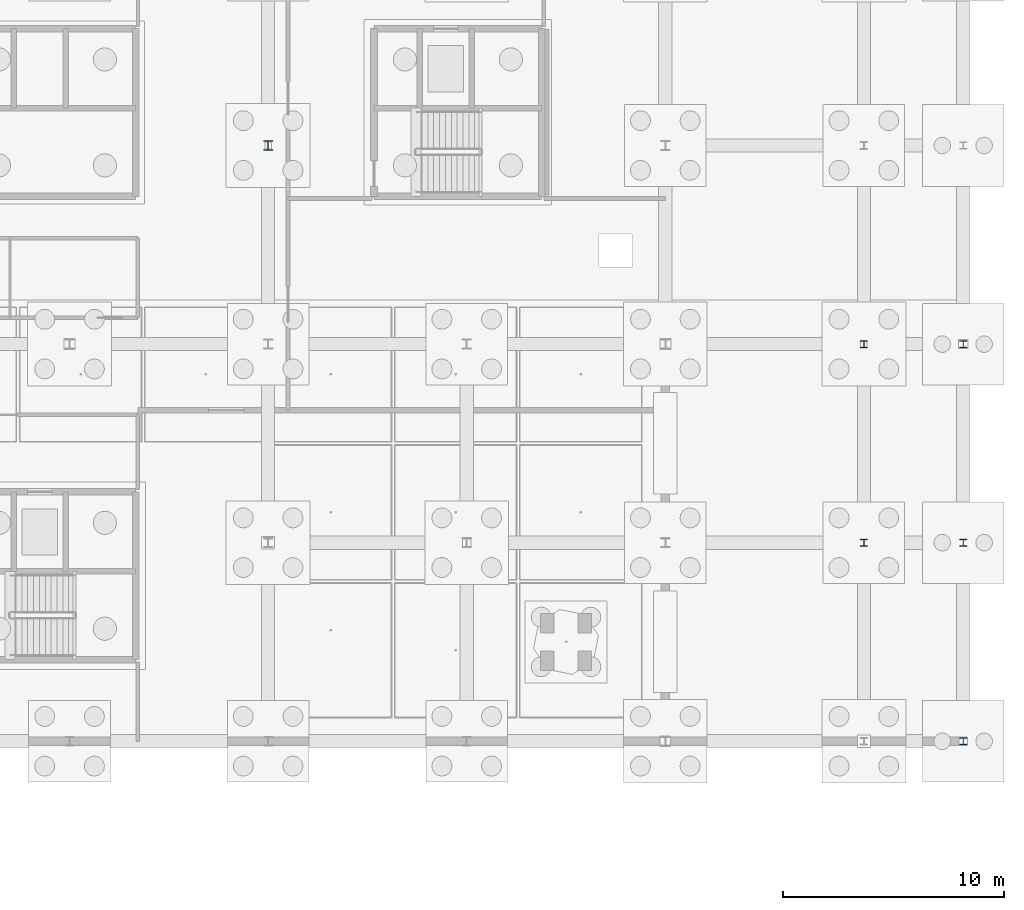
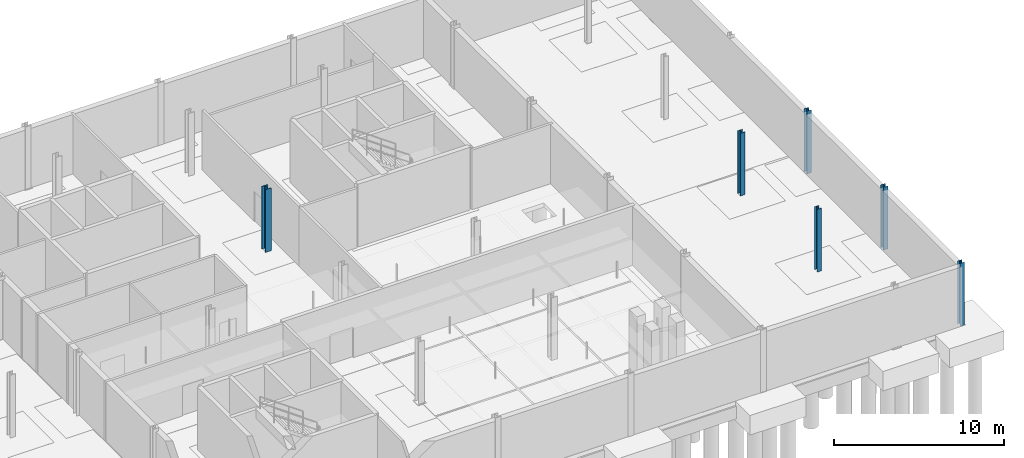
# One storey, part 16 of 48: 6 columns.
"""IFC4 building model written with IfcOpenShell, lengths in metres."""

from ifc_helpers import new_model, si_unit, direction, frame, origin, origin_2d, place, context, subcontext, project, spatial, i_section, extrude, material, material_profile, profile_set, type_object, element, save


model = new_model("IFC4")

# Units and contexts
model_context = context("Model", 3, precision=1e-05, world=origin(), true_north=direction((0.0, 1.0)))
body_context = subcontext(model_context, "Body", "Model", "MODEL_VIEW")
ifc_project = project(units=[si_unit("LENGTHUNIT", "METRE"), si_unit("AREAUNIT", "SQUARE_METRE"), si_unit("VOLUMEUNIT", "CUBIC_METRE"), si_unit("PLANEANGLEUNIT", "RADIAN"), si_unit("MASSUNIT", "GRAM", prefix="KILO"), si_unit("THERMODYNAMICTEMPERATUREUNIT", "KELVIN"), si_unit("POWERUNIT", "WATT")], contexts=[model_context])

# Site, building, storey
site_placement = place(None, origin())
site = spatial("IfcSite", under=ifc_project, at=site_placement, CompositionType="ELEMENT")
building_placement = place(site_placement, origin())
building = spatial("IfcBuilding", under=site, at=building_placement, Name="Tallowbark Science Centre", CompositionType="ELEMENT")
storey_placement = place(building_placement, frame((0.0, 0.0, -4.5)))
storey = spatial("IfcBuildingStorey", under=building, at=storey_placement, Name="B1", CompositionType="ELEMENT", Elevation=-4.5)

# Columns
ifc_material = material(Name="Structural Steel Grade 300PLUS (300 MPa)", Category="steel")
ifc_material_profile_1 = material_profile(ifc_material, i_section(OverallWidth=0.30908203125, OverallDepth=0.320556640625, WebThickness=0.013916015625, FlangeThickness=0.021728515625, FilletRadius=0.0166015625, at=origin_2d()), Name="310UC137")
ifc_profile_set_1 = profile_set([ifc_material_profile_1], Name="Structural Steel Grade 300PLUS (300 MPa)")
column_type_1 = type_object("IfcColumnType", Name="COL-UC310B", PredefinedType="COLUMN", material=ifc_profile_set_1)
for number, where, z_axis, x_axis, name in (
    (1, (157.5, 81.0, 0.0), (0.0, 0.0, 1.0), (1.0, 0.0, 0.0), "Column OBS-5_1 B1"),
    (2, (157.5, 90.0, 0.0), (0.0, 0.0, 1.0), (1.0, 0.0, 0.0), "Column OBS-5_2 B1"),
):
    element("IfcColumn", number, at=place(storey_placement, frame(where, z_axis=z_axis, x_axis=x_axis)), inside=storey, type_object=column_type_1, Name=name, PredefinedType="COLUMN", context=body_context, shape_type="SweptSolid", body=[
        extrude(i_section(OverallWidth=0.30908203125, OverallDepth=0.320556640625, WebThickness=0.013916015625, FlangeThickness=0.021728515625, FilletRadius=0.0166015625, at=origin_2d()), origin(), (0.0, 0.0, 1.0), 4.5),
    ])
ifc_material_profile_2 = material_profile(ifc_material, i_section(OverallWidth=0.307373046875, OverallDepth=0.314697265625, WebThickness=0.011962890625, FlangeThickness=0.018798828125, FilletRadius=0.0166015625, at=origin_2d()), Name="310UC118")
ifc_profile_set_2 = profile_set([ifc_material_profile_2], Name="Structural Steel Grade 300PLUS (300 MPa)")
column_type_2 = type_object("IfcColumnType", Name="COL-UC310C", PredefinedType="COLUMN", material=ifc_profile_set_2)
for number, where, z_axis, x_axis, name in (
    (3, (162.0, 72.0, 0.0), (0.0, 0.0, 1.0), (1.0, 0.0, 0.0), "Column OBS-6_0 B1"),
    (4, (162.0, 81.0, 0.0), (0.0, 0.0, 1.0), (1.0, 0.0, 0.0), "Column OBS-6_1 B1"),
    (5, (162.0, 90.0, 0.0), (0.0, 0.0, 1.0), (1.0, 0.0, 0.0), "Column OBS-6_2 B1"),
):
    element("IfcColumn", number, at=place(storey_placement, frame(where, z_axis=z_axis, x_axis=x_axis)), inside=storey, type_object=column_type_2, Name=name, PredefinedType="COLUMN", context=body_context, shape_type="SweptSolid", body=[
        extrude(i_section(OverallWidth=0.307373046875, OverallDepth=0.314697265625, WebThickness=0.011962890625, FlangeThickness=0.018798828125, FilletRadius=0.0166015625, at=origin_2d()), origin(), (0.0, 0.0, 1.0), 4.5),
    ])
ifc_material_profile_3 = material_profile(ifc_material, i_section(OverallWidth=0.39990234375, OverallDepth=0.427978515625, WebThickness=0.02001953125, FlangeThickness=0.028076171875, FilletRadius=0.01611328125, at=origin_2d()), Name="400WC270")
ifc_profile_set_3 = profile_set([ifc_material_profile_3], Name="Structural Steel Grade 300PLUS (300 MPa)")
column_type_3 = type_object("IfcColumnType", Name="COL-WC400", PredefinedType="COLUMN", material=ifc_profile_set_3)
column_placement = place(storey_placement, frame((130.5, 99.0, 0.0), z_axis=(0.0, 0.0, 1.0), x_axis=(1.0, 0.0, 0.0)))
element("IfcColumn", 6, at=column_placement, inside=storey, type_object=column_type_3, Name="Column OBS-2_3 B1", PredefinedType="COLUMN", context=body_context, shape_type="SweptSolid", body=[
    extrude(i_section(OverallWidth=0.39990234375, OverallDepth=0.427978515625, WebThickness=0.02001953125, FlangeThickness=0.028076171875, FilletRadius=0.01611328125, at=origin_2d()), origin(), (0.0, 0.0, 1.0), 4.5),
])

save(model, "model.ifc")
